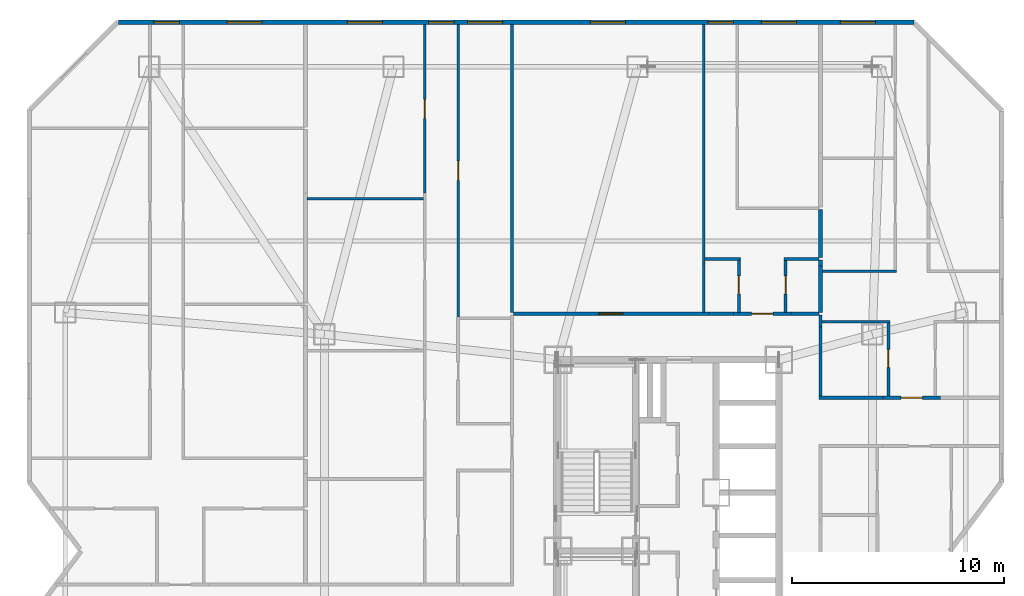
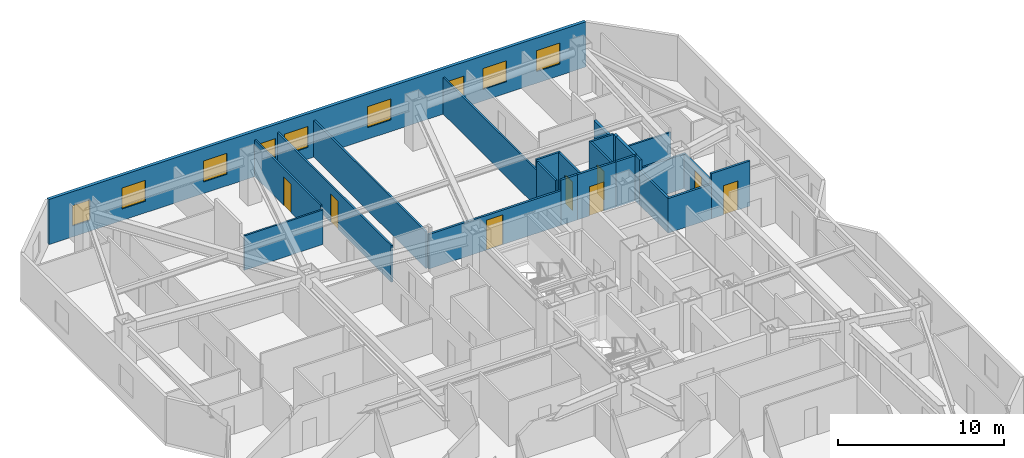
# One storey, part 16 of 18: 25 walls, 9 windows, 8 doors, 17 openings.
"""IFC4 building model written with IfcOpenShell, lengths in metres."""

from ifc_helpers import new_model, si_unit, direction, frame, frame_2d, origin, place, context, subcontext, project, spatial, rectangle, extrude, material, layer, layer_set, type_object, element, fill, save


model = new_model("IFC4")

# Units and contexts
model_context = context("Model", 3, precision=1e-05, world=origin(), true_north=direction((0.0, 1.0)))
body_context = subcontext(model_context, "Body", "Model", "MODEL_VIEW")
ifc_project = project(units=[si_unit("LENGTHUNIT", "METRE"), si_unit("AREAUNIT", "SQUARE_METRE"), si_unit("VOLUMEUNIT", "CUBIC_METRE"), si_unit("PLANEANGLEUNIT", "RADIAN"), si_unit("MASSUNIT", "GRAM", prefix="KILO")], contexts=[model_context])

# Site, building, storey
site_placement = place(None, origin())
site = spatial("IfcSite", under=ifc_project, at=site_placement, CompositionType="ELEMENT")
building_placement = place(site_placement, origin())
building = spatial("IfcBuilding", under=site, at=building_placement, Name="Khamvora Tower", CompositionType="ELEMENT")
storey_placement = place(building_placement, frame((0.0, 0.0, 80.75)))
storey = spatial("IfcBuildingStorey", under=building, at=storey_placement, Name="L20", CompositionType="ELEMENT", Elevation=80.75)

# Wall, opening, door
ifc_material_1 = material(Name="Fire-Rated Drywall and Steel Stud", Category="steel")
ifc_layer_1 = layer(ifc_material_1, 0.14990234375)
ifc_layer_set_1 = layer_set([ifc_layer_1], Name="Fire-Rated Drywall and Steel Stud")
wall_type_1 = type_object("IfcWallType", Name="WAL-CORR-150", PredefinedType="STANDARD", material=ifc_layer_set_1)
wall_1_placement = place(storey_placement, frame((26.89990234375, 39.1650390625, 0.0), z_axis=(0.0, 0.0, 1.0), x_axis=(1.0, 0.0, 0.0)))
wall_1 = element("IfcWall", 1, at=wall_1_placement, inside=storey, type_object=wall_type_1, Name="L20 interior partition wall 006", PredefinedType="STANDARD", context=body_context, shape_type="SweptSolid", body=[
    extrude(rectangle(XDim=9.214111328125, YDim=0.14990234375, at=frame_2d((4.60693359375, 0.0))), origin(), (0.0, 0.0, 1.0), 2.547119140625),
])
opening_1_placement = place(wall_1_placement, frame((4.010986328125, 0.0, 0.0)))
opening_1 = element("IfcOpeningElement", 2, at=opening_1_placement, cuts=wall_1, Name="Opening D-SC1", PredefinedType="OPENING", context=body_context, shape_type="SweptSolid", body=[
    extrude(rectangle(XDim=1.14990234375, YDim=2.199951171875, at=frame_2d((0.574951171875, 1.10009765625))), frame((0.0, 0.0849609375, 0.0), z_axis=(0.0, -1.0, 0.0), x_axis=(1.0, 0.0, 0.0)), (0.0, 0.0, 1.0), 0.169921875),
])
ifc_material_2 = material(Name="Powder-Coated Steel and Hardwood Leaf", Category="steel")
door_type_1 = type_object("IfcDoorType", Name="DOR-SCHL-1150", OperationType="NOTDEFINED", PredefinedType="DOOR", material=ifc_material_2)
door_1_placement = place(opening_1_placement, origin())
door_1 = element("IfcDoor", 3, at=door_1_placement, inside=storey, type_object=door_type_1, Name="L20 interior door COR-RFIT", OperationType="SINGLE_SWING_RIGHT", OverallHeight=2.199951171875, OverallWidth=1.14990234375, PredefinedType="DOOR", context=body_context, shape_type="SweptSolid", body=[
    extrude(rectangle(XDim=1.14990234375, YDim=2.199951171875, at=frame_2d((0.574951171875, 1.10009765625))), frame((0.0, 0.02490234375, 0.0), z_axis=(0.0, -1.0, 0.0), x_axis=(1.0, 0.0, 0.0)), (0.0, 0.0, 1.0), 0.050048828125),
])
fill(opening_1, door_1)

wall_2_placement = place(storey_placement, frame((37.26611328125, 39.1650390625, 0.0), z_axis=(0.0, 0.0, 1.0), x_axis=(1.0, 0.0, 0.0)))
wall_2 = element("IfcWall", 4, at=wall_2_placement, inside=storey, type_object=wall_type_1, Name="L20 interior partition wall 029", PredefinedType="STANDARD", context=body_context, shape_type="SweptSolid", body=[
    extrude(rectangle(XDim=2.697998046875, YDim=0.14990234375, at=frame_2d((1.34912109375, 0.0))), origin(), (0.0, 0.0, 1.0), 3.330078125),
])
opening_2_placement = place(wall_2_placement, frame((0.84912109375, 0.0, 0.0)))
opening_2 = element("IfcOpeningElement", 5, at=opening_2_placement, cuts=wall_2, Name="Opening D-U1", PredefinedType="OPENING", context=body_context, shape_type="SweptSolid", body=[
    extrude(rectangle(XDim=1.0, YDim=2.14990234375, at=frame_2d((0.5, 1.074951171875))), frame((0.0, 0.0849609375, 0.0), z_axis=(0.0, -1.0, 0.0), x_axis=(1.0, 0.0, 0.0)), (0.0, 0.0, 1.0), 0.169921875),
])
door_type_2 = type_object("IfcDoorType", Name="DOR-UNIT-1000", OperationType="NOTDEFINED", PredefinedType="DOOR", material=ifc_material_2)
door_2_placement = place(opening_2_placement, origin())
door_2 = element("IfcDoor", 6, at=door_2_placement, inside=storey, type_object=door_type_2, Name="L20 interior door COR-20NAH", OperationType="SINGLE_SWING_RIGHT", OverallHeight=2.14990234375, OverallWidth=1.0, PredefinedType="DOOR", context=body_context, shape_type="SweptSolid", body=[
    extrude(rectangle(XDim=1.0, YDim=2.14990234375, at=frame_2d((0.5, 1.074951171875))), frame((0.0, 0.02490234375, 0.0), z_axis=(0.0, -1.0, 0.0), x_axis=(1.0, 0.0, 0.0)), (0.0, 0.0, 1.0), 0.050048828125),
])
fill(opening_2, door_2)

# Walls
wall_3_placement = place(storey_placement, frame((36.114013671875, 39.1650390625, 0.0), z_axis=(0.0, 0.0, 1.0), x_axis=(1.0, 0.0, 0.0)))
element("IfcWall", 7, at=wall_3_placement, inside=storey, type_object=wall_type_1, Name="L20 interior partition wall 030", PredefinedType="STANDARD", context=body_context, shape_type="SweptSolid", body=[
    extrude(rectangle(XDim=1.152099609375, YDim=0.14990234375, at=frame_2d((0.576171875, 0.0))), origin(), (0.0, 0.0, 1.0), 3.330078125),
])
wall_4_placement = place(storey_placement, frame((39.964111328125, 39.1650390625, 0.0), z_axis=(0.0, 0.0, 1.0), x_axis=(1.0, 0.0, 0.0)))
element("IfcWall", 8, at=wall_4_placement, inside=storey, type_object=wall_type_1, Name="L20 interior partition wall 031", PredefinedType="STANDARD", context=body_context, shape_type="SweptSolid", body=[
    extrude(rectangle(XDim=1.3359375, YDim=0.14990234375, at=frame_2d((0.66796875, 0.0))), origin(), (0.0, 0.0, 1.0), 3.330078125),
])
wall_5_placement = place(storey_placement, frame((41.364990234375, 39.10009765625, 0.0), z_axis=(0.0, 0.0, 1.0), x_axis=(0.0, -1.0, 0.0)))
element("IfcWall", 9, at=wall_5_placement, inside=storey, type_object=wall_type_1, Name="L20 interior partition wall 040", PredefinedType="STANDARD", context=body_context, shape_type="SweptSolid", body=[
    extrude(rectangle(XDim=0.55419921875, YDim=0.14990234375, at=frame_2d((0.277099609375, 0.0))), origin(), (0.0, 0.0, 1.0), 3.330078125),
])

# Wall, opening, door
wall_6_placement = place(storey_placement, frame((44.31103515625, 35.215087890625, 0.0), z_axis=(0.0, 0.0, 1.0), x_axis=(1.0, 0.0, 0.0)))
wall_6 = element("IfcWall", 10, at=wall_6_placement, inside=storey, type_object=wall_type_1, Name="L20 interior partition wall 041", PredefinedType="STANDARD", context=body_context, shape_type="SweptSolid", body=[
    extrude(rectangle(XDim=2.697998046875, YDim=0.14990234375, at=frame_2d((1.34912109375, 0.0))), origin(), (0.0, 0.0, 1.0), 3.330078125),
])
opening_3_placement = place(wall_6_placement, frame((0.84912109375, 0.0, 0.0)))
opening_3 = element("IfcOpeningElement", 11, at=opening_3_placement, cuts=wall_6, Name="Opening D-U1", PredefinedType="OPENING", context=body_context, shape_type="SweptSolid", body=[
    extrude(rectangle(XDim=1.0, YDim=2.14990234375, at=frame_2d((0.5, 1.074951171875))), frame((0.0, 0.0849609375, 0.0), z_axis=(0.0, -1.0, 0.0), x_axis=(1.0, 0.0, 0.0)), (0.0, 0.0, 1.0), 0.169921875),
])
door_3_placement = place(opening_3_placement, origin())
door_3 = element("IfcDoor", 12, at=door_3_placement, inside=storey, type_object=door_type_2, Name="L20 interior door COR-20ECH", OperationType="SINGLE_SWING_RIGHT", OverallHeight=2.14990234375, OverallWidth=1.0, PredefinedType="DOOR", context=body_context, shape_type="SweptSolid", body=[
    extrude(rectangle(XDim=1.0, YDim=2.14990234375, at=frame_2d((0.5, 1.074951171875))), frame((0.0, 0.02490234375, 0.0), z_axis=(0.0, -1.0, 0.0), x_axis=(1.0, 0.0, 0.0)), (0.0, 0.0, 1.0), 0.050048828125),
])
fill(opening_3, door_3)

# Walls
wall_7_placement = place(storey_placement, frame((41.364990234375, 38.5458984375, 0.0), z_axis=(0.0, 0.0, 1.0), x_axis=(0.0, -1.0, 0.0)))
element("IfcWall", 13, at=wall_7_placement, inside=storey, type_object=wall_type_1, Name="L20 interior partition wall 042", PredefinedType="STANDARD", context=body_context, shape_type="SweptSolid", body=[
    extrude(rectangle(XDim=3.39599609375, YDim=0.14990234375, at=frame_2d((1.697998046875, 0.0))), origin(), (0.0, 0.0, 1.0), 2.547119140625),
])
wall_8_placement = place(storey_placement, frame((41.300048828125, 35.215087890625, 0.0), z_axis=(0.0, 0.0, 1.0), x_axis=(1.0, 0.0, 0.0)))
element("IfcWall", 14, at=wall_8_placement, inside=storey, type_object=wall_type_1, Name="L20 interior partition wall 043", PredefinedType="STANDARD", context=body_context, shape_type="SweptSolid", body=[
    extrude(rectangle(XDim=3.010986328125, YDim=0.14990234375, at=frame_2d((1.50537109375, 0.0))), origin(), (0.0, 0.0, 1.0), 2.547119140625),
])
ifc_material_3 = material(Name="Acoustic Double-Stud Fire Wall", Category="gypsum")
ifc_layer_2 = layer(ifc_material_3, 0.179931640625)
ifc_layer_set_2 = layer_set([ifc_layer_2], Name="Acoustic Double-Stud Fire Wall")
wall_type_2 = type_object("IfcWallType", Name="WAL-CORR-180", PredefinedType="STANDARD", material=ifc_layer_set_2)
wall_9_placement = place(storey_placement, frame((41.364990234375, 44.069091796875, 0.0), z_axis=(0.0, 0.0, 1.0), x_axis=(0.0, -1.0, 0.0)))
element("IfcWall", 15, at=wall_9_placement, inside=storey, type_object=wall_type_2, Name="L20 interior partition wall 141", PredefinedType="STANDARD", context=body_context, shape_type="SweptSolid", body=[
    extrude(rectangle(XDim=2.25, YDim=0.179931640625, at=frame_2d((1.125, 0.0))), origin(), (0.0, 0.0, 1.0), 2.9130859375),
])
wall_10_placement = place(storey_placement, frame((41.364990234375, 41.424072265625, 0.0), z_axis=(0.0, 0.0, 1.0), x_axis=(0.0, -1.0, 0.0)))
element("IfcWall", 16, at=wall_10_placement, inside=storey, type_object=wall_type_2, Name="L20 interior partition wall 142", PredefinedType="STANDARD", context=body_context, shape_type="SweptSolid", body=[
    extrude(rectangle(XDim=2.194091796875, YDim=0.179931640625, at=frame_2d((1.09716796875, 0.0))), origin(), (0.0, 0.0, 1.0), 3.330078125),
])
wall_11_placement = place(storey_placement, frame((41.364990234375, 41.68896484375, 0.0), z_axis=(0.0, 0.0, 1.0), x_axis=(0.0, -1.0, 0.0)))
element("IfcWall", 17, at=wall_11_placement, inside=storey, type_object=wall_type_2, Name="L20 interior partition wall 143", PredefinedType="STANDARD", context=body_context, shape_type="SweptSolid", body=[
    extrude(rectangle(XDim=0.264892578125, YDim=0.179931640625, at=frame_2d((0.13232421875, 0.0))), origin(), (0.0, 0.0, 1.0), 3.330078125),
])

# Wall, openings, windows
ifc_material_4 = material(Name="Precast concrete C40/50", Category="concrete")
ifc_layer_3 = layer(ifc_material_4, 0.219970703125)
ifc_layer_set_3 = layer_set([ifc_layer_3], Name="Precast concrete C40/50")
wall_type_3 = type_object("IfcWallType", Name="WAL-EXT-220", PredefinedType="STANDARD", material=ifc_layer_set_3)
wall_12_placement = place(storey_placement, frame((8.31494140625, 52.889892578125, 0.0), z_axis=(0.0, 0.0, 1.0), x_axis=(1.0, 0.0, 0.0)))
wall_12 = element("IfcWall", 18, at=wall_12_placement, inside=storey, type_object=wall_type_3, Name="L20 exterior facade wall 07.1", PredefinedType="STANDARD", context=body_context, shape_type="SweptSolid", body=[
    extrude(rectangle(XDim=37.43896484375, YDim=0.219970703125, at=frame_2d((18.719482421875, 0.0))), origin(), (0.0, 0.0, 1.0), 3.330078125),
])
opening_4_placement = place(wall_12_placement, frame((22.2099609375, 0.0, 0.85009765625)))
opening_4 = element("IfcOpeningElement", 19, at=opening_4_placement, cuts=wall_12, Name="Opening WN-06", PredefinedType="OPENING", context=body_context, shape_type="SweptSolid", body=[
    extrude(rectangle(XDim=1.64990234375, YDim=1.550048828125, at=frame_2d((0.824951171875, 0.77490234375))), frame((0.0, 0.119873046875, 0.0), z_axis=(0.0, -1.0, 0.0), x_axis=(1.0, 0.0, 0.0)), (0.0, 0.0, 1.0), 0.239990234375),
])
opening_5_placement = place(wall_12_placement, frame((1.659912109375, 0.0, 0.800048828125)))
opening_5 = element("IfcOpeningElement", 20, at=opening_5_placement, cuts=wall_12, Name="Opening WN-03", PredefinedType="OPENING", context=body_context, shape_type="SweptSolid", body=[
    extrude(rectangle(XDim=1.199951171875, YDim=1.5, at=frame_2d((0.60009765625, 0.75))), frame((0.0, 0.119873046875, 0.0), z_axis=(0.0, -1.0, 0.0), x_axis=(1.0, 0.0, 0.0)), (0.0, 0.0, 1.0), 0.239990234375),
])
opening_6_placement = place(wall_12_placement, frame((5.093017578125, 0.0, 0.85009765625)))
opening_6 = element("IfcOpeningElement", 21, at=opening_6_placement, cuts=wall_12, Name="Opening WN-06", PredefinedType="OPENING", context=body_context, shape_type="SweptSolid", body=[
    extrude(rectangle(XDim=1.64990234375, YDim=1.550048828125, at=frame_2d((0.824951171875, 0.77490234375))), frame((0.0, 0.119873046875, 0.0), z_axis=(0.0, -1.0, 0.0), x_axis=(1.0, 0.0, 0.0)), (0.0, 0.0, 1.0), 0.239990234375),
])
opening_7_placement = place(wall_12_placement, frame((16.426025390625, 0.0, 0.85009765625)))
opening_7 = element("IfcOpeningElement", 22, at=opening_7_placement, cuts=wall_12, Name="Opening WN-06", PredefinedType="OPENING", context=body_context, shape_type="SweptSolid", body=[
    extrude(rectangle(XDim=1.64990234375, YDim=1.550048828125, at=frame_2d((0.824951171875, 0.77490234375))), frame((0.0, 0.119873046875, 0.0), z_axis=(0.0, -1.0, 0.0), x_axis=(1.0, 0.0, 0.0)), (0.0, 0.0, 1.0), 0.239990234375),
])
opening_8_placement = place(wall_12_placement, frame((14.592041015625, 0.0, 0.800048828125)))
opening_8 = element("IfcOpeningElement", 23, at=opening_8_placement, cuts=wall_12, Name="Opening WN-03", PredefinedType="OPENING", context=body_context, shape_type="SweptSolid", body=[
    extrude(rectangle(XDim=1.199951171875, YDim=1.5, at=frame_2d((0.60009765625, 0.75))), frame((0.0, 0.119873046875, 0.0), z_axis=(0.0, -1.0, 0.0), x_axis=(1.0, 0.0, 0.0)), (0.0, 0.0, 1.0), 0.239990234375),
])
opening_9_placement = place(wall_12_placement, frame((10.77099609375, 0.0, 0.85009765625)))
opening_9 = element("IfcOpeningElement", 24, at=opening_9_placement, cuts=wall_12, Name="Opening WN-06", PredefinedType="OPENING", context=body_context, shape_type="SweptSolid", body=[
    extrude(rectangle(XDim=1.64990234375, YDim=1.550048828125, at=frame_2d((0.824951171875, 0.77490234375))), frame((0.0, 0.119873046875, 0.0), z_axis=(0.0, -1.0, 0.0), x_axis=(1.0, 0.0, 0.0)), (0.0, 0.0, 1.0), 0.239990234375),
])
opening_10_placement = place(wall_12_placement, frame((27.739990234375, 0.0, 0.800048828125)))
opening_10 = element("IfcOpeningElement", 25, at=opening_10_placement, cuts=wall_12, Name="Opening WN-03", PredefinedType="OPENING", context=body_context, shape_type="SweptSolid", body=[
    extrude(rectangle(XDim=1.199951171875, YDim=1.5, at=frame_2d((0.60009765625, 0.75))), frame((0.0, 0.119873046875, 0.0), z_axis=(0.0, -1.0, 0.0), x_axis=(1.0, 0.0, 0.0)), (0.0, 0.0, 1.0), 0.239990234375),
])
opening_11_placement = place(wall_12_placement, frame((30.264892578125, 0.0, 0.85009765625)))
opening_11 = element("IfcOpeningElement", 26, at=opening_11_placement, cuts=wall_12, Name="Opening WN-06", PredefinedType="OPENING", context=body_context, shape_type="SweptSolid", body=[
    extrude(rectangle(XDim=1.64990234375, YDim=1.550048828125, at=frame_2d((0.824951171875, 0.77490234375))), frame((0.0, 0.119873046875, 0.0), z_axis=(0.0, -1.0, 0.0), x_axis=(1.0, 0.0, 0.0)), (0.0, 0.0, 1.0), 0.239990234375),
])
opening_12_placement = place(wall_12_placement, frame((33.97998046875, 0.0, 0.85009765625)))
opening_12 = element("IfcOpeningElement", 27, at=opening_12_placement, cuts=wall_12, Name="Opening WN-06", PredefinedType="OPENING", context=body_context, shape_type="SweptSolid", body=[
    extrude(rectangle(XDim=1.64990234375, YDim=1.550048828125, at=frame_2d((0.824951171875, 0.77490234375))), frame((0.0, 0.119873046875, 0.0), z_axis=(0.0, -1.0, 0.0), x_axis=(1.0, 0.0, 0.0)), (0.0, 0.0, 1.0), 0.239990234375),
])
ifc_material_5 = material(Name="Low-E Laminated Double Glazing", Category="glass")
window_type_1 = type_object("IfcWindowType", Name="WIN-VIS-1200x1500", PartitioningType="SINGLE_PANEL", PredefinedType="WINDOW", material=ifc_material_5)
window_1_placement = place(opening_5_placement, origin())
window_1 = element("IfcWindow", 28, at=window_1_placement, inside=storey, type_object=window_type_1, Name="L20 vision window 07.1.02", OverallHeight=1.5, OverallWidth=1.199951171875, PartitioningType="SINGLE_PANEL", PredefinedType="WINDOW", context=body_context, shape_type="SweptSolid", body=[
    extrude(rectangle(XDim=1.199951171875, YDim=1.5, at=frame_2d((0.60009765625, 0.75))), frame((0.0, 0.030029296875, 0.0), z_axis=(0.0, -1.0, 0.0), x_axis=(1.0, 0.0, 0.0)), (0.0, 0.0, 1.0), 0.06005859375),
])
fill(opening_5, window_1)
window_2_placement = place(opening_8_placement, origin())
window_2 = element("IfcWindow", 29, at=window_2_placement, inside=storey, type_object=window_type_1, Name="L20 vision window 07.1.05", OverallHeight=1.5, OverallWidth=1.199951171875, PartitioningType="SINGLE_PANEL", PredefinedType="WINDOW", context=body_context, shape_type="SweptSolid", body=[
    extrude(rectangle(XDim=1.199951171875, YDim=1.5, at=frame_2d((0.60009765625, 0.75))), frame((0.0, 0.030029296875, 0.0), z_axis=(0.0, -1.0, 0.0), x_axis=(1.0, 0.0, 0.0)), (0.0, 0.0, 1.0), 0.06005859375),
])
fill(opening_8, window_2)
window_3_placement = place(opening_10_placement, origin())
window_3 = element("IfcWindow", 30, at=window_3_placement, inside=storey, type_object=window_type_1, Name="L20 vision window 07.1.07", OverallHeight=1.5, OverallWidth=1.199951171875, PartitioningType="SINGLE_PANEL", PredefinedType="WINDOW", context=body_context, shape_type="SweptSolid", body=[
    extrude(rectangle(XDim=1.199951171875, YDim=1.5, at=frame_2d((0.60009765625, 0.75))), frame((0.0, 0.030029296875, 0.0), z_axis=(0.0, -1.0, 0.0), x_axis=(1.0, 0.0, 0.0)), (0.0, 0.0, 1.0), 0.06005859375),
])
fill(opening_10, window_3)
window_type_2 = type_object("IfcWindowType", Name="WIN-VIS-1650x1550", PartitioningType="SINGLE_PANEL", PredefinedType="WINDOW", material=ifc_material_5)
window_4_placement = place(opening_4_placement, origin())
window_4 = element("IfcWindow", 31, at=window_4_placement, inside=storey, type_object=window_type_2, Name="L20 vision window 07.1.01", OverallHeight=1.550048828125, OverallWidth=1.64990234375, PartitioningType="SINGLE_PANEL", PredefinedType="WINDOW", context=body_context, shape_type="SweptSolid", body=[
    extrude(rectangle(XDim=1.64990234375, YDim=1.550048828125, at=frame_2d((0.824951171875, 0.77490234375))), frame((0.0, 0.030029296875, 0.0), z_axis=(0.0, -1.0, 0.0), x_axis=(1.0, 0.0, 0.0)), (0.0, 0.0, 1.0), 0.06005859375),
])
fill(opening_4, window_4)
window_5_placement = place(opening_6_placement, origin())
window_5 = element("IfcWindow", 32, at=window_5_placement, inside=storey, type_object=window_type_2, Name="L20 vision window 07.1.03", OverallHeight=1.550048828125, OverallWidth=1.64990234375, PartitioningType="SINGLE_PANEL", PredefinedType="WINDOW", context=body_context, shape_type="SweptSolid", body=[
    extrude(rectangle(XDim=1.64990234375, YDim=1.550048828125, at=frame_2d((0.824951171875, 0.77490234375))), frame((0.0, 0.030029296875, 0.0), z_axis=(0.0, -1.0, 0.0), x_axis=(1.0, 0.0, 0.0)), (0.0, 0.0, 1.0), 0.06005859375),
])
fill(opening_6, window_5)
window_6_placement = place(opening_7_placement, origin())
window_6 = element("IfcWindow", 33, at=window_6_placement, inside=storey, type_object=window_type_2, Name="L20 vision window 07.1.04", OverallHeight=1.550048828125, OverallWidth=1.64990234375, PartitioningType="SINGLE_PANEL", PredefinedType="WINDOW", context=body_context, shape_type="SweptSolid", body=[
    extrude(rectangle(XDim=1.64990234375, YDim=1.550048828125, at=frame_2d((0.824951171875, 0.77490234375))), frame((0.0, 0.030029296875, 0.0), z_axis=(0.0, -1.0, 0.0), x_axis=(1.0, 0.0, 0.0)), (0.0, 0.0, 1.0), 0.06005859375),
])
fill(opening_7, window_6)
window_7_placement = place(opening_9_placement, origin())
window_7 = element("IfcWindow", 34, at=window_7_placement, inside=storey, type_object=window_type_2, Name="L20 vision window 07.1.06", OverallHeight=1.550048828125, OverallWidth=1.64990234375, PartitioningType="SINGLE_PANEL", PredefinedType="WINDOW", context=body_context, shape_type="SweptSolid", body=[
    extrude(rectangle(XDim=1.64990234375, YDim=1.550048828125, at=frame_2d((0.824951171875, 0.77490234375))), frame((0.0, 0.030029296875, 0.0), z_axis=(0.0, -1.0, 0.0), x_axis=(1.0, 0.0, 0.0)), (0.0, 0.0, 1.0), 0.06005859375),
])
fill(opening_9, window_7)
window_8_placement = place(opening_11_placement, origin())
window_8 = element("IfcWindow", 35, at=window_8_placement, inside=storey, type_object=window_type_2, Name="L20 vision window 07.1.08", OverallHeight=1.550048828125, OverallWidth=1.64990234375, PartitioningType="SINGLE_PANEL", PredefinedType="WINDOW", context=body_context, shape_type="SweptSolid", body=[
    extrude(rectangle(XDim=1.64990234375, YDim=1.550048828125, at=frame_2d((0.824951171875, 0.77490234375))), frame((0.0, 0.030029296875, 0.0), z_axis=(0.0, -1.0, 0.0), x_axis=(1.0, 0.0, 0.0)), (0.0, 0.0, 1.0), 0.06005859375),
])
fill(opening_11, window_8)
window_9_placement = place(opening_12_placement, origin())
window_9 = element("IfcWindow", 36, at=window_9_placement, inside=storey, type_object=window_type_2, Name="L20 vision window 07.1.09", OverallHeight=1.550048828125, OverallWidth=1.64990234375, PartitioningType="SINGLE_PANEL", PredefinedType="WINDOW", context=body_context, shape_type="SweptSolid", body=[
    extrude(rectangle(XDim=1.64990234375, YDim=1.550048828125, at=frame_2d((0.824951171875, 0.77490234375))), frame((0.0, 0.030029296875, 0.0), z_axis=(0.0, -1.0, 0.0), x_axis=(1.0, 0.0, 0.0)), (0.0, 0.0, 1.0), 0.06005859375),
])
fill(opening_12, window_9)

# Walls
ifc_material_6 = material(Name="Gypsum Plasterboard Partition", Category="gypsum")
ifc_layer_4 = layer(ifc_material_6, 0.1201171875)
ifc_layer_set_4 = layer_set([ifc_layer_4], Name="Gypsum Plasterboard Partition")
wall_type_4 = type_object("IfcWallType", Name="WAL-PART-120", PredefinedType="PARTITIONING", material=ifc_layer_set_4)
wall_13_placement = place(storey_placement, frame((26.8349609375, 39.22998046875, 0.0), z_axis=(0.0, 0.0, 1.0), x_axis=(0.0, 1.0, 0.0)))
element("IfcWall", 37, at=wall_13_placement, inside=storey, type_object=wall_type_4, Name="L20 interior partition wall 045", PredefinedType="PARTITIONING", context=body_context, shape_type="SweptSolid", body=[
    extrude(rectangle(XDim=13.55810546875, YDim=0.1201171875, at=frame_2d((6.779052734375, 0.0))), origin(), (0.0, 0.0, 1.0), 2.702880859375),
])
wall_14_placement = place(storey_placement, frame((35.864990234375, 52.7880859375, 0.0), z_axis=(0.0, 0.0, 1.0), x_axis=(0.0, -1.0, 0.0)))
element("IfcWall", 38, at=wall_14_placement, inside=storey, type_object=wall_type_4, Name="L20 interior partition wall 046", PredefinedType="PARTITIONING", context=body_context, shape_type="SweptSolid", body=[
    extrude(rectangle(XDim=11.283203125, YDim=0.1201171875, at=frame_2d((5.6416015625, 0.0))), origin(), (0.0, 0.0, 1.0), 2.702880859375),
])

# Wall, opening, door
wall_15_placement = place(storey_placement, frame((24.297119140625, 39.02099609375, 0.0), z_axis=(0.0, 0.0, 1.0), x_axis=(0.0, 1.0, 0.0)))
wall_15 = element("IfcWall", 39, at=wall_15_placement, inside=storey, type_object=wall_type_4, Name="L20 interior partition wall 106", PredefinedType="PARTITIONING", context=body_context, shape_type="SweptSolid", body=[
    extrude(rectangle(XDim=13.76708984375, YDim=0.1201171875, at=frame_2d((6.883544921875, 0.0))), origin(), (0.0, 0.0, 1.0), 2.702880859375),
])
opening_13_placement = place(wall_15_placement, frame((6.43310546875, 0.0, 0.0)))
opening_13 = element("IfcOpeningElement", 40, at=opening_13_placement, cuts=wall_15, Name="Opening D-RM1", PredefinedType="OPENING", context=body_context, shape_type="SweptSolid", body=[
    extrude(rectangle(XDim=0.89990234375, YDim=2.10009765625, at=frame_2d((0.449951171875, 1.050048828125))), frame((0.0, 0.070068359375, 0.0), z_axis=(0.0, -1.0, 0.0), x_axis=(1.0, 0.0, 0.0)), (0.0, 0.0, 1.0), 0.14013671875),
])
door_type_3 = type_object("IfcDoorType", Name="DOR-ROOM-900", OperationType="NOTDEFINED", PredefinedType="DOOR", material=ifc_material_2)
door_4_placement = place(opening_13_placement, origin())
door_4 = element("IfcDoor", 41, at=door_4_placement, inside=storey, type_object=door_type_3, Name="L20 interior door 20WCW2-20WCH", OperationType="SINGLE_SWING_RIGHT", OverallHeight=2.10009765625, OverallWidth=0.89990234375, PredefinedType="DOOR", context=body_context, shape_type="SweptSolid", body=[
    extrude(rectangle(XDim=0.89990234375, YDim=2.10009765625, at=frame_2d((0.449951171875, 1.050048828125))), frame((0.0, 0.02490234375, 0.0), z_axis=(0.0, -1.0, 0.0), x_axis=(1.0, 0.0, 0.0)), (0.0, 0.0, 1.0), 0.050048828125),
])
fill(opening_13, door_4)

wall_16_placement = place(storey_placement, frame((22.717041015625, 44.843017578125, 0.0), z_axis=(0.0, 0.0, 1.0), x_axis=(0.0, 1.0, 0.0)))
wall_16 = element("IfcWall", 42, at=wall_16_placement, inside=storey, type_object=wall_type_4, Name="L20 interior partition wall 115", PredefinedType="PARTITIONING", context=body_context, shape_type="SweptSolid", body=[
    extrude(rectangle(XDim=7.945068359375, YDim=0.1201171875, at=frame_2d((3.97265625, 0.0))), origin(), (0.0, 0.0, 1.0), 2.702880859375),
])
opening_14_placement = place(wall_16_placement, frame((3.52197265625, 0.0, 0.0)))
opening_14 = element("IfcOpeningElement", 43, at=opening_14_placement, cuts=wall_16, Name="Opening D-RM1", PredefinedType="OPENING", context=body_context, shape_type="SweptSolid", body=[
    extrude(rectangle(XDim=0.89990234375, YDim=2.10009765625, at=frame_2d((0.449951171875, 1.050048828125))), frame((0.0, 0.070068359375, 0.0), z_axis=(0.0, -1.0, 0.0), x_axis=(1.0, 0.0, 0.0)), (0.0, 0.0, 1.0), 0.14013671875),
])
door_5_placement = place(opening_14_placement, origin())
door_5 = element("IfcDoor", 44, at=door_5_placement, inside=storey, type_object=door_type_3, Name="L20 interior door 20WCH-20WCR4", OperationType="SINGLE_SWING_RIGHT", OverallHeight=2.10009765625, OverallWidth=0.89990234375, PredefinedType="DOOR", context=body_context, shape_type="SweptSolid", body=[
    extrude(rectangle(XDim=0.89990234375, YDim=2.10009765625, at=frame_2d((0.449951171875, 1.050048828125))), frame((0.0, 0.02490234375, 0.0), z_axis=(0.0, -1.0, 0.0), x_axis=(1.0, 0.0, 0.0)), (0.0, 0.0, 1.0), 0.050048828125),
])
fill(opening_14, door_5)

# Walls
wall_17_placement = place(storey_placement, frame((17.18701171875, 44.593994140625, 0.0), z_axis=(0.0, 0.0, 1.0), x_axis=(1.0, 0.0, 0.0)))
element("IfcWall", 45, at=wall_17_placement, inside=storey, type_object=wall_type_4, Name="L20 interior partition wall 118", PredefinedType="PARTITIONING", context=body_context, shape_type="SweptSolid", body=[
    extrude(rectangle(XDim=5.47607421875, YDim=0.1201171875, at=frame_2d((2.738037109375, 0.0))), origin(), (0.0, 0.0, 1.0), 2.547119140625),
])
wall_18_placement = place(storey_placement, frame((41.447021484375, 41.175048828125, 0.0), z_axis=(0.0, 0.0, 1.0), x_axis=(1.0, 0.0, 0.0)))
element("IfcWall", 46, at=wall_18_placement, inside=storey, type_object=wall_type_4, Name="L20 interior partition wall 166", PredefinedType="PARTITIONING", context=body_context, shape_type="SweptSolid", body=[
    extrude(rectangle(XDim=3.492919921875, YDim=0.1201171875, at=frame_2d((1.74658203125, 0.0))), origin(), (0.0, 0.0, 1.0), 2.547119140625),
])
ifc_material_7 = material(Name="Moisture-Resistant Plasterboard Partition", Category="gypsum")
ifc_layer_5 = layer(ifc_material_7, 0.135009765625)
ifc_layer_set_5 = layer_set([ifc_layer_5], Name="Moisture-Resistant Plasterboard Partition")
wall_type_5 = type_object("IfcWallType", Name="WAL-WET-135", PredefinedType="PARTITIONING", material=ifc_layer_set_5)
wall_19_placement = place(storey_placement, frame((35.864990234375, 41.5048828125, 0.0), z_axis=(0.0, 0.0, 1.0), x_axis=(0.0, -1.0, 0.0)))
element("IfcWall", 47, at=wall_19_placement, inside=storey, type_object=wall_type_5, Name="L20 interior partition wall 047", PredefinedType="PARTITIONING", context=body_context, shape_type="SweptSolid", body=[
    extrude(rectangle(XDim=2.27294921875, YDim=0.135009765625, at=frame_2d((1.136474609375, 0.0))), origin(), (0.0, 0.0, 1.0), 3.330078125),
])

# Wall, opening, door
wall_20_placement = place(storey_placement, frame((37.514892578125, 39.23193359375, 0.0), z_axis=(0.0, 0.0, 1.0), x_axis=(0.0, 1.0, 0.0)))
wall_20 = element("IfcWall", 48, at=wall_20_placement, inside=storey, type_object=wall_type_5, Name="L20 interior partition wall 135", PredefinedType="PARTITIONING", context=body_context, shape_type="SweptSolid", body=[
    extrude(rectangle(XDim=2.587158203125, YDim=0.135009765625, at=frame_2d((1.29345703125, 0.0))), origin(), (0.0, 0.0, 1.0), 3.330078125),
])
opening_15_placement = place(wall_20_placement, frame((0.868896484375, 0.0, 0.0)))
opening_15 = element("IfcOpeningElement", 49, at=opening_15_placement, cuts=wall_20, Name="Opening D-WC1", PredefinedType="OPENING", context=body_context, shape_type="SweptSolid", body=[
    extrude(rectangle(XDim=0.85009765625, YDim=2.10009765625, at=frame_2d((0.425048828125, 1.050048828125))), frame((0.0, 0.077392578125, 0.0), z_axis=(0.0, -1.0, 0.0), x_axis=(1.0, 0.0, 0.0)), (0.0, 0.0, 1.0), 0.155029296875),
])
door_type_4 = type_object("IfcDoorType", Name="DOR-WET-850", OperationType="NOTDEFINED", PredefinedType="DOOR", material=ifc_material_2)
door_6_placement = place(opening_15_placement, origin())
door_6 = element("IfcDoor", 50, at=door_6_placement, inside=storey, type_object=door_type_4, Name="L20 interior door 20NAH-20NAB", OperationType="SINGLE_SWING_LEFT", OverallHeight=2.10009765625, OverallWidth=0.85009765625, PredefinedType="DOOR", context=body_context, shape_type="SweptSolid", body=[
    extrude(rectangle(XDim=0.85009765625, YDim=2.10009765625, at=frame_2d((0.425048828125, 1.050048828125))), frame((0.0, 0.02490234375, 0.0), z_axis=(0.0, -1.0, 0.0), x_axis=(1.0, 0.0, 0.0)), (0.0, 0.0, 1.0), 0.050048828125),
])
fill(opening_15, door_6)

# Walls
wall_21_placement = place(storey_placement, frame((37.580078125, 41.75390625, 0.0), z_axis=(0.0, 0.0, 1.0), x_axis=(-1.0, 0.0, 0.0)))
element("IfcWall", 51, at=wall_21_placement, inside=storey, type_object=wall_type_5, Name="L20 interior partition wall 136", PredefinedType="PARTITIONING", context=body_context, shape_type="SweptSolid", body=[
    extrude(rectangle(XDim=1.6611328125, YDim=0.135009765625, at=frame_2d((0.83056640625, 0.0))), origin(), (0.0, 0.0, 1.0), 3.330078125),
])
wall_22_placement = place(storey_placement, frame((41.300048828125, 41.75390625, 0.0), z_axis=(0.0, 0.0, 1.0), x_axis=(-1.0, 0.0, 0.0)))
element("IfcWall", 52, at=wall_22_placement, inside=storey, type_object=wall_type_5, Name="L20 interior partition wall 137", PredefinedType="PARTITIONING", context=body_context, shape_type="SweptSolid", body=[
    extrude(rectangle(XDim=1.650146484375, YDim=0.135009765625, at=frame_2d((0.8251953125, 0.0))), origin(), (0.0, 0.0, 1.0), 3.330078125),
])

# Wall, opening, door
wall_23_placement = place(storey_placement, frame((39.715087890625, 41.819091796875, 0.0), z_axis=(0.0, 0.0, 1.0), x_axis=(0.0, -1.0, 0.0)))
wall_23 = element("IfcWall", 53, at=wall_23_placement, inside=storey, type_object=wall_type_5, Name="L20 interior partition wall 138", PredefinedType="PARTITIONING", context=body_context, shape_type="SweptSolid", body=[
    extrude(rectangle(XDim=2.587158203125, YDim=0.135009765625, at=frame_2d((1.29345703125, 0.0))), origin(), (0.0, 0.0, 1.0), 3.330078125),
])
opening_16_placement = place(wall_23_placement, frame((0.868896484375, 0.0, 0.0)))
opening_16 = element("IfcOpeningElement", 54, at=opening_16_placement, cuts=wall_23, Name="Opening D-RM2", PredefinedType="OPENING", context=body_context, shape_type="SweptSolid", body=[
    extrude(rectangle(XDim=0.85009765625, YDim=2.10009765625, at=frame_2d((0.425048828125, 1.050048828125))), frame((0.0, 0.077392578125, 0.0), z_axis=(0.0, -1.0, 0.0), x_axis=(1.0, 0.0, 0.0)), (0.0, 0.0, 1.0), 0.155029296875),
])
door_type_5 = type_object("IfcDoorType", Name="DOR-ROOM-850", OperationType="NOTDEFINED", PredefinedType="DOOR", material=ifc_material_2)
door_7_placement = place(opening_16_placement, origin())
door_7 = element("IfcDoor", 55, at=door_7_placement, inside=storey, type_object=door_type_5, Name="L20 interior door 20NAH-20NAK", OperationType="SINGLE_SWING_RIGHT", OverallHeight=2.10009765625, OverallWidth=0.85009765625, PredefinedType="DOOR", context=body_context, shape_type="SweptSolid", body=[
    extrude(rectangle(XDim=0.85009765625, YDim=2.10009765625, at=frame_2d((0.425048828125, 1.050048828125))), frame((0.0, 0.02490234375, 0.0), z_axis=(0.0, -1.0, 0.0), x_axis=(1.0, 0.0, 0.0)), (0.0, 0.0, 1.0), 0.050048828125),
])
fill(opening_16, door_7)

wall_24_placement = place(storey_placement, frame((44.56005859375, 35.281982421875, 0.0), z_axis=(0.0, 0.0, 1.0), x_axis=(0.0, 1.0, 0.0)))
wall_24 = element("IfcWall", 56, at=wall_24_placement, inside=storey, type_object=wall_type_5, Name="L20 interior partition wall 162", PredefinedType="PARTITIONING", context=body_context, shape_type="SweptSolid", body=[
    extrude(rectangle(XDim=3.578125, YDim=0.135009765625, at=frame_2d((1.7890625, 0.0))), origin(), (0.0, 0.0, 1.0), 2.547119140625),
])
opening_17_placement = place(wall_24_placement, frame((1.364013671875, 0.0, 0.0)))
opening_17 = element("IfcOpeningElement", 57, at=opening_17_placement, cuts=wall_24, Name="Opening D-WC1", PredefinedType="OPENING", context=body_context, shape_type="SweptSolid", body=[
    extrude(rectangle(XDim=0.85009765625, YDim=2.10009765625, at=frame_2d((0.425048828125, 1.050048828125))), frame((0.0, 0.077392578125, 0.0), z_axis=(0.0, -1.0, 0.0), x_axis=(1.0, 0.0, 0.0)), (0.0, 0.0, 1.0), 0.155029296875),
])
door_8_placement = place(opening_17_placement, origin())
door_8 = element("IfcDoor", 58, at=door_8_placement, inside=storey, type_object=door_type_4, Name="L20 interior door 20ECH-20ECB", OperationType="SINGLE_SWING_LEFT", OverallHeight=2.10009765625, OverallWidth=0.85009765625, PredefinedType="DOOR", context=body_context, shape_type="SweptSolid", body=[
    extrude(rectangle(XDim=0.85009765625, YDim=2.10009765625, at=frame_2d((0.425048828125, 1.050048828125))), frame((0.0, 0.02490234375, 0.0), z_axis=(0.0, -1.0, 0.0), x_axis=(1.0, 0.0, 0.0)), (0.0, 0.0, 1.0), 0.050048828125),
])
fill(opening_17, door_8)

# Wall
wall_25_placement = place(storey_placement, frame((44.625, 38.794921875, 0.0), z_axis=(0.0, 0.0, 1.0), x_axis=(-1.0, 0.0, 0.0)))
element("IfcWall", 59, at=wall_25_placement, inside=storey, type_object=wall_type_5, Name="L20 interior partition wall 163", PredefinedType="PARTITIONING", context=body_context, shape_type="SweptSolid", body=[
    extrude(rectangle(XDim=3.193115234375, YDim=0.135009765625, at=frame_2d((1.5966796875, 0.0))), origin(), (0.0, 0.0, 1.0), 2.547119140625),
])

save(model, "model.ifc")
